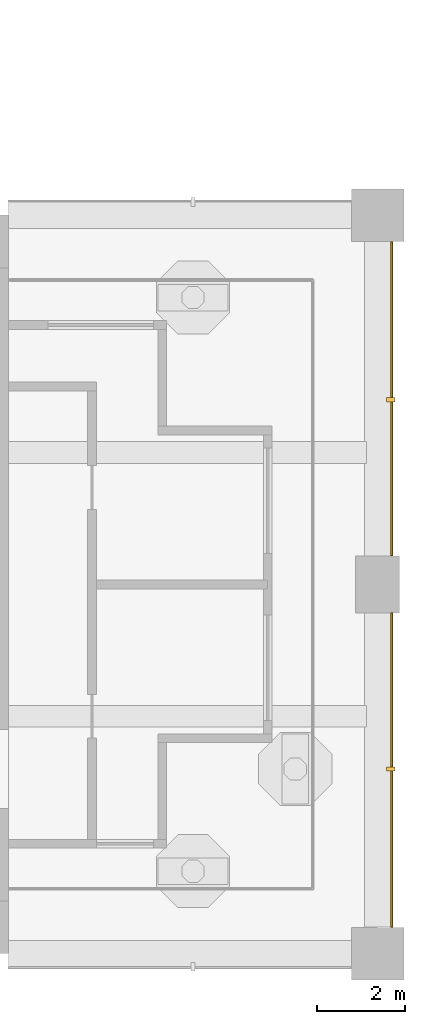
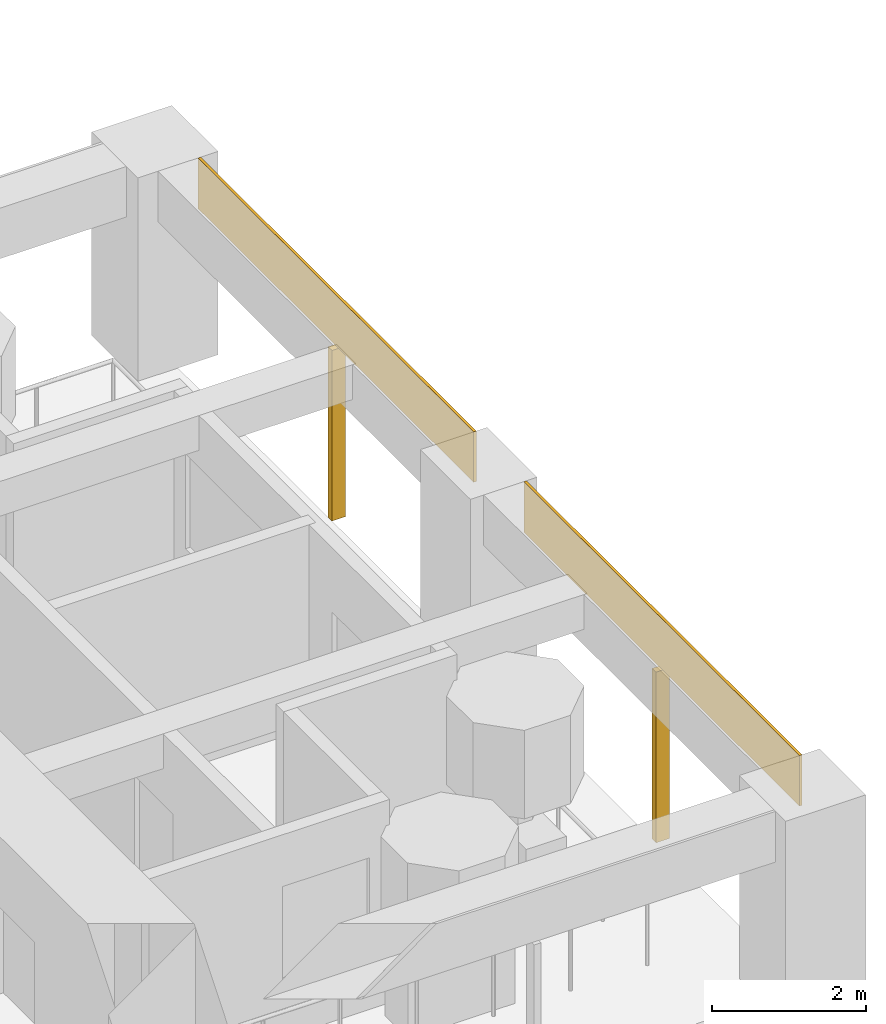
# One storey, part 15 of 18: 4 shading devices.
"""IFC4 building model written with IfcOpenShell, lengths in metres."""

from ifc_helpers import new_model, si_unit, direction, frame, origin, origin_2d, place, context, subcontext, project, spatial, rectangle, extrude, material, layer, layer_set, material_profile, profile_set, type_object, element, save


model = new_model("IFC4")

# Units and contexts
model_context = context("Model", 3, precision=1e-05, world=origin(), true_north=direction((0.0, 1.0)))
body_context = subcontext(model_context, "Body", "Model", "MODEL_VIEW")
ifc_project = project(units=[si_unit("LENGTHUNIT", "METRE"), si_unit("AREAUNIT", "SQUARE_METRE"), si_unit("VOLUMEUNIT", "CUBIC_METRE"), si_unit("PLANEANGLEUNIT", "RADIAN"), si_unit("MASSUNIT", "GRAM", prefix="KILO")], contexts=[model_context])

# Site, building, storey
site_placement = place(None, origin())
site = spatial("IfcSite", under=ifc_project, at=site_placement, CompositionType="ELEMENT")
building_placement = place(site_placement, origin())
building = spatial("IfcBuilding", under=site, at=building_placement, Name="Vermilion Gate Residences", CompositionType="ELEMENT")
storey_placement = place(building_placement, frame((0.0, 0.0, 84.699951171875)))
storey = spatial("IfcBuildingStorey", under=building, at=storey_placement, Name="L20", CompositionType="ELEMENT", Elevation=84.699951171875)

# Shading devices
ifc_material_1 = material(Name="Perforated terracotta", Category="masonry")
ifc_layer = layer(ifc_material_1, 0.0400390625)
ifc_layer_set = layer_set([ifc_layer], Name="PERFORATED TERRACOTTA SCREEN 40")
shading_device_type_1 = type_object("IfcShadingDeviceType", Name="PERFORATED TERRACOTTA SCREEN 40", PredefinedType="SHUTTER", material=ifc_layer_set)
for number, where, z_axis, x_axis, name in (
    (1, (67.52001953125, 12.574951171875, 2.419921875), (0.0, 0.0, 1.0), (0.0, 1.0, 0.0), "SCREEN"),
    (2, (67.52001953125, 21.02490234375, 2.419921875), (0.0, 0.0, 1.0), (0.0, 1.0, 0.0), "SCREEN"),
):
    element("IfcShadingDevice", number, at=place(storey_placement, frame(where, z_axis=z_axis, x_axis=x_axis)), inside=storey, type_object=shading_device_type_1, Name=name, PredefinedType="SHUTTER", context=body_context, shape_type="SweptSolid", body=[
        extrude(rectangle(XDim=7.14990234375, YDim=0.0400390625, at=origin_2d()), origin(), (0.0, 0.0, 1.0), 0.800048828125),
    ])
ifc_material_2 = material(Name="Extruded terracotta", Category="masonry")
ifc_material_profile = material_profile(ifc_material_2, rectangle(XDim=0.199951171875, YDim=0.10009765625, at=origin_2d()), Name="BAGUETTE 100 X 200")
ifc_profile_set = profile_set([ifc_material_profile], Name="Extruded terracotta")
shading_device_type_2 = type_object("IfcShadingDeviceType", Name="TERRACOTTA BAGUETTE 100 X 200", PredefinedType="JALOUSIE", material=ifc_profile_set)
for number, where, z_axis, x_axis, name in (
    (3, (67.5, 12.60009765625, -0.280029296875), (0.0, 0.0, 1.0), (-1.0, 0.0, 0.0), "BAGUETTE"),
    (4, (67.5, 21.0, -0.280029296875), (0.0, 0.0, 1.0), (-1.0, 0.0, 0.0), "BAGUETTE"),
):
    element("IfcShadingDevice", number, at=place(storey_placement, frame(where, z_axis=z_axis, x_axis=x_axis)), inside=storey, type_object=shading_device_type_2, Name=name, PredefinedType="JALOUSIE", context=body_context, shape_type="SweptSolid", body=[
        extrude(rectangle(XDim=0.199951171875, YDim=0.10009765625, at=origin_2d()), origin(), (0.0, 0.0, 1.0), 2.7001953125),
    ])

save(model, "model.ifc")
